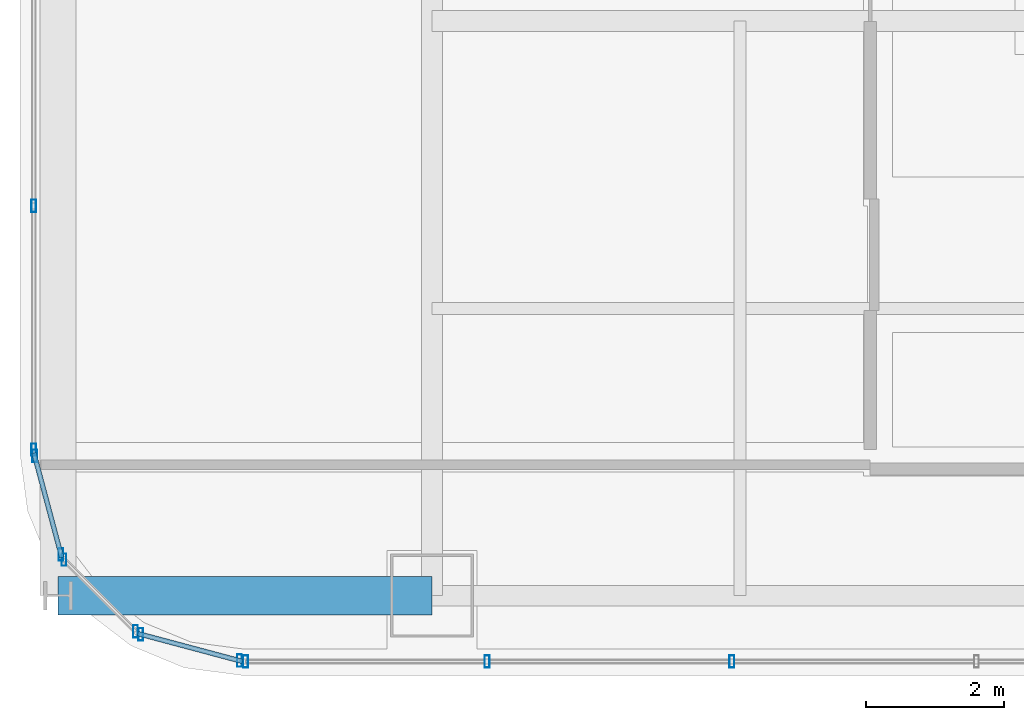
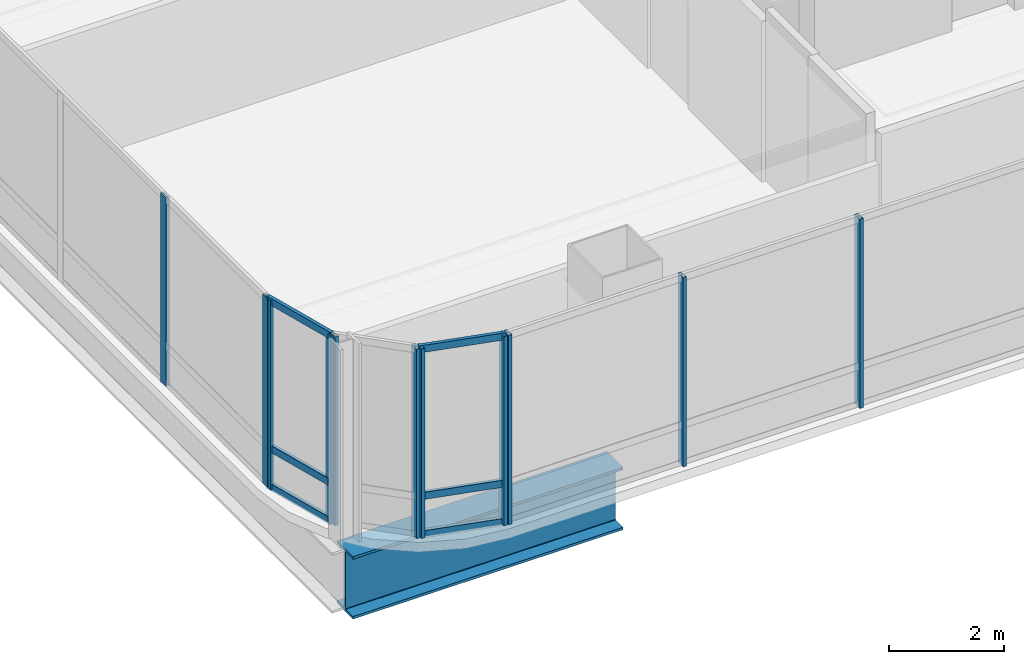
# One storey, part 2 of 41: 17 members, 1 beam, 5 elements without a shape of their own.
"""IFC4 building model written with IfcOpenShell, lengths in metres."""

from ifc_helpers import new_model, si_unit, direction, frame, origin, origin_2d, place, context, subcontext, project, spatial, hollow_rectangle, i_section, extrude, material, material_profile, profile_set, type_object, element, aggregate, save


model = new_model("IFC4")

# Units and contexts
model_context = context("Model", 3, precision=1e-05, world=origin(), true_north=direction((0.0, 1.0)))
body_context = subcontext(model_context, "Body", "Model", "MODEL_VIEW")
ifc_project = project(units=[si_unit("LENGTHUNIT", "METRE"), si_unit("AREAUNIT", "SQUARE_METRE"), si_unit("VOLUMEUNIT", "CUBIC_METRE"), si_unit("PLANEANGLEUNIT", "RADIAN"), si_unit("MASSUNIT", "GRAM", prefix="KILO")], contexts=[model_context])

# Site, building, storey
site_placement = place(None, origin())
site = spatial("IfcSite", under=ifc_project, at=site_placement, CompositionType="ELEMENT")
building_placement = place(site_placement, origin())
building = spatial("IfcBuilding", under=site, at=building_placement, Name="Punatoya Terracotta Tower", CompositionType="ELEMENT")
storey_placement = place(building_placement, frame((0.0, 0.0, 309.0)))
storey = spatial("IfcBuildingStorey", under=building, at=storey_placement, Name="L73", CompositionType="ELEMENT", Elevation=309.0)

# Beam
ifc_material_1 = material(Name="Steel S460", Category="steel")
ifc_material_profile_1 = material_profile(ifc_material_1, i_section(OverallWidth=0.56005859375, OverallDepth=1.320068359375, WebThickness=0.035888671875, FlangeThickness=0.054931640625, FilletRadius=0.01806640625, at=origin_2d()))
ifc_profile_set_1 = profile_set([ifc_material_profile_1], Name="Steel S460")
beam_type = type_object("IfcBeamType", Name="BM-TG-BLK", PredefinedType="BEAM", material=ifc_profile_set_1)
beam_placement = place(storey_placement, frame((-24.5, -17.5, -0.860107421875), z_axis=(1.0, 0.0, 0.0), x_axis=(0.0, 1.0, 0.0)))
element("IfcBeam", 1, at=beam_placement, inside=storey, type_object=beam_type, Name="BM-L73-CANT-W1", PredefinedType="BEAM", context=body_context, shape_type="SweptSolid", body=[
    extrude(i_section(OverallWidth=0.56005859375, OverallDepth=1.320068359375, WebThickness=0.035888671875, FlangeThickness=0.054931640625, FilletRadius=0.01806640625, at=origin_2d()), origin(), (0.0, 0.0, 1.0), 5.39990234375),
])

# Curtain wall, members
ifc_material_2 = material(Name="Aluminium 6063-T6 + Double Low-E Glass", Category="aluminium")
curtain_wall_type = type_object("IfcCurtainWallType", Name="CW-M3", PredefinedType="NOTDEFINED", material=ifc_material_2)
curtain_wall_1_placement = place(storey_placement, origin())
curtain_wall_1 = element("IfcCurtainWall", 2, at=curtain_wall_1_placement, inside=storey, type_object=curtain_wall_type, Name="L73 Curtain Wall CW-L73-S01-1", PredefinedType="NOTDEFINED")
ifc_material_3 = material(Name="Aluminium 6063-T6", Category="aluminium")
ifc_material_profile_2 = material_profile(ifc_material_3, hollow_rectangle(XDim=0.070068359375, YDim=0.179931640625, WallThickness=0.00390625, at=origin_2d()))
ifc_profile_set_2 = profile_set([ifc_material_profile_2], Name="Aluminium 6063-T6")
member_type_1 = type_object("IfcMemberType", Name="CW-MUL-M3", PredefinedType="MULLION", material=ifc_profile_set_2)
member_1_placement = place(storey_placement, frame((-21.7919921875, -18.449951171875, 0.0), z_axis=(0.0, 0.0, 1.0), x_axis=(1.0, 0.0, 0.0)))
member_1 = element("IfcMember", 3, at=member_1_placement, type_object=member_type_1, Name="CW-L73-S01-1 Mullion 00", PredefinedType="MULLION", context=body_context, shape_type="SweptSolid", body=[
    extrude(hollow_rectangle(XDim=0.070068359375, YDim=0.179931640625, WallThickness=0.00390625, at=origin_2d()), origin(), (0.0, 0.0, 1.0), 4.0),
])
member_2_placement = place(storey_placement, frame((-18.302978515625, -18.449951171875, 0.0), z_axis=(0.0, 0.0, 1.0), x_axis=(1.0, 0.0, 0.0)))
member_2 = element("IfcMember", 4, at=member_2_placement, type_object=member_type_1, Name="CW-L73-S01-1 Mullion 01", PredefinedType="MULLION", context=body_context, shape_type="SweptSolid", body=[
    extrude(hollow_rectangle(XDim=0.070068359375, YDim=0.179931640625, WallThickness=0.00390625, at=origin_2d()), origin(), (0.0, 0.0, 1.0), 4.0),
])
member_3_placement = place(storey_placement, frame((-14.768798828125, -18.449951171875, 0.0), z_axis=(0.0, 0.0, 1.0), x_axis=(1.0, 0.0, 0.0)))
member_3 = element("IfcMember", 5, at=member_3_placement, type_object=member_type_1, Name="CW-L73-S01-1 Mullion 02", PredefinedType="MULLION", context=body_context, shape_type="SweptSolid", body=[
    extrude(hollow_rectangle(XDim=0.070068359375, YDim=0.179931640625, WallThickness=0.00390625, at=origin_2d()), origin(), (0.0, 0.0, 1.0), 4.0),
])
aggregate(curtain_wall_1, [member_1, member_2, member_3])

curtain_wall_2_placement = place(storey_placement, origin())
curtain_wall_2 = element("IfcCurtainWall", 6, at=curtain_wall_2_placement, inside=storey, type_object=curtain_wall_type, Name="L73 Curtain Wall CW-L73-W13-1", PredefinedType="NOTDEFINED")
member_4_placement = place(storey_placement, frame((-24.85009765625, -11.869384765625, 0.0), z_axis=(0.0, 0.0, 1.0), x_axis=(1.0, 0.0, 0.0)))
member_4 = element("IfcMember", 7, at=member_4_placement, type_object=member_type_1, Name="CW-L73-W13-1 Mullion 09", PredefinedType="MULLION", context=body_context, shape_type="SweptSolid", body=[
    extrude(hollow_rectangle(XDim=0.070068359375, YDim=0.179931640625, WallThickness=0.00390625, at=origin_2d()), origin(), (0.0, 0.0, 1.0), 4.0),
])
member_5_placement = place(storey_placement, frame((-24.85009765625, -15.391845703125, 0.0), z_axis=(0.0, 0.0, 1.0), x_axis=(1.0, 0.0, 0.0)))
member_5 = element("IfcMember", 8, at=member_5_placement, type_object=member_type_1, Name="CW-L73-W13-1 Mullion 10", PredefinedType="MULLION", context=body_context, shape_type="SweptSolid", body=[
    extrude(hollow_rectangle(XDim=0.070068359375, YDim=0.179931640625, WallThickness=0.00390625, at=origin_2d()), origin(), (0.0, 0.0, 1.0), 4.0),
])
aggregate(curtain_wall_2, [member_4, member_5])

curtain_wall_3_placement = place(storey_placement, origin())
curtain_wall_3 = element("IfcCurtainWall", 9, at=curtain_wall_3_placement, inside=storey, type_object=curtain_wall_type, Name="L73 Curtain Wall CW-L73-CRN14", PredefinedType="NOTDEFINED")
member_6_placement = place(storey_placement, frame((-24.83837890625, -15.48046875, 0.0), z_axis=(0.0, 0.0, 1.0), x_axis=(1.0, 0.0, 0.0)))
member_6 = element("IfcMember", 10, at=member_6_placement, type_object=member_type_1, Name="CW-L73-CRN14 Mullion 00", PredefinedType="MULLION", context=body_context, shape_type="SweptSolid", body=[
    extrude(hollow_rectangle(XDim=0.070068359375, YDim=0.179931640625, WallThickness=0.00390625, at=origin_2d()), origin(), (0.0, 0.0, 1.0), 4.0),
])
member_7_placement = place(storey_placement, frame((-24.458251953125, -16.905517578125, 0.0), z_axis=(0.0, 0.0, 1.0), x_axis=(1.0, 0.0, 0.0)))
member_7 = element("IfcMember", 11, at=member_7_placement, type_object=member_type_1, Name="CW-L73-CRN14 Mullion 01", PredefinedType="MULLION", context=body_context, shape_type="SweptSolid", body=[
    extrude(hollow_rectangle(XDim=0.070068359375, YDim=0.179931640625, WallThickness=0.00390625, at=origin_2d()), origin(), (0.0, 0.0, 1.0), 4.0),
])

curtain_wall_4_placement = place(storey_placement, origin())
curtain_wall_4 = element("IfcCurtainWall", 12, at=curtain_wall_4_placement, inside=storey, type_object=curtain_wall_type, Name="L73 Curtain Wall CW-L73-CRN15", PredefinedType="NOTDEFINED")
member_8_placement = place(storey_placement, frame((-24.414794921875, -16.98095703125, 0.0), z_axis=(0.0, 0.0, 1.0), x_axis=(1.0, 0.0, 0.0)))
member_8 = element("IfcMember", 13, at=member_8_placement, type_object=member_type_1, Name="CW-L73-CRN15 Mullion 00", PredefinedType="MULLION", context=body_context, shape_type="SweptSolid", body=[
    extrude(hollow_rectangle(XDim=0.070068359375, YDim=0.179931640625, WallThickness=0.00390625, at=origin_2d()), origin(), (0.0, 0.0, 1.0), 4.0),
])
member_9_placement = place(storey_placement, frame((-23.380859375, -18.014892578125, 0.0), z_axis=(0.0, 0.0, 1.0), x_axis=(1.0, 0.0, 0.0)))
member_9 = element("IfcMember", 14, at=member_9_placement, type_object=member_type_1, Name="CW-L73-CRN15 Mullion 01", PredefinedType="MULLION", context=body_context, shape_type="SweptSolid", body=[
    extrude(hollow_rectangle(XDim=0.070068359375, YDim=0.179931640625, WallThickness=0.00390625, at=origin_2d()), origin(), (0.0, 0.0, 1.0), 4.0),
])
aggregate(curtain_wall_4, [member_8, member_9])

curtain_wall_5_placement = place(storey_placement, origin())
curtain_wall_5 = element("IfcCurtainWall", 15, at=curtain_wall_5_placement, inside=storey, type_object=curtain_wall_type, Name="L73 Curtain Wall CW-L73-CRN16", PredefinedType="NOTDEFINED")
member_10_placement = place(storey_placement, frame((-23.3056640625, -18.05810546875, 0.0), z_axis=(0.0, 0.0, 1.0), x_axis=(1.0, 0.0, 0.0)))
member_10 = element("IfcMember", 16, at=member_10_placement, type_object=member_type_1, Name="CW-L73-CRN16 Mullion 00", PredefinedType="MULLION", context=body_context, shape_type="SweptSolid", body=[
    extrude(hollow_rectangle(XDim=0.070068359375, YDim=0.179931640625, WallThickness=0.00390625, at=origin_2d()), origin(), (0.0, 0.0, 1.0), 4.0),
])
member_11_placement = place(storey_placement, frame((-21.88037109375, -18.4384765625, 0.0), z_axis=(0.0, 0.0, 1.0), x_axis=(1.0, 0.0, 0.0)))
member_11 = element("IfcMember", 17, at=member_11_placement, type_object=member_type_1, Name="CW-L73-CRN16 Mullion 01", PredefinedType="MULLION", context=body_context, shape_type="SweptSolid", body=[
    extrude(hollow_rectangle(XDim=0.070068359375, YDim=0.179931640625, WallThickness=0.00390625, at=origin_2d()), origin(), (0.0, 0.0, 1.0), 4.0),
])

# Member
ifc_material_profile_3 = material_profile(ifc_material_3, hollow_rectangle(XDim=0.068115234375, YDim=0.14990234375, WallThickness=0.00390625, at=origin_2d()))
ifc_profile_set_3 = profile_set([ifc_material_profile_3], Name="Aluminium 6063-T6")
member_type_2 = type_object("IfcMemberType", Name="CW-TRN-TYP", PredefinedType="USERDEFINED", material=ifc_profile_set_3)
member_12_placement = place(storey_placement, frame((-24.85009765625, -15.43701171875, 0.0400390625), z_axis=(0.257847112249, -0.966185730957, 0.0), x_axis=(0.966185730957, 0.257847112249, 0.0)))
member_12 = element("IfcMember", 18, at=member_12_placement, type_object=member_type_2, Name="CW-L73-CRN14 Transom 1", ObjectType="TRANSOM", PredefinedType="USERDEFINED", context=body_context, shape_type="SweptSolid", body=[
    extrude(hollow_rectangle(XDim=0.068115234375, YDim=0.14990234375, WallThickness=0.00390625, at=origin_2d()), origin(), (0.0, 0.0, 1.0), 1.565185546875),
])

member_13_placement = place(storey_placement, frame((-24.85009765625, -15.43701171875, 0.85009765625), z_axis=(0.257847112249, -0.966185730957, 0.0), x_axis=(0.966185730957, 0.257847112249, 0.0)))
member_13 = element("IfcMember", 19, at=member_13_placement, type_object=member_type_2, Name="CW-L73-CRN14 Transom 2", ObjectType="TRANSOM", PredefinedType="USERDEFINED", context=body_context, shape_type="SweptSolid", body=[
    extrude(hollow_rectangle(XDim=0.068115234375, YDim=0.14990234375, WallThickness=0.00390625, at=origin_2d()), origin(), (0.0, 0.0, 1.0), 1.565185546875),
])

member_14_placement = place(storey_placement, frame((-24.85009765625, -15.43701171875, 3.9599609375), z_axis=(0.257847112249, -0.966185730957, 0.0), x_axis=(0.966185730957, 0.257847112249, 0.0)))
member_14 = element("IfcMember", 20, at=member_14_placement, type_object=member_type_2, Name="CW-L73-CRN14 Transom 3", ObjectType="TRANSOM", PredefinedType="USERDEFINED", context=body_context, shape_type="SweptSolid", body=[
    extrude(hollow_rectangle(XDim=0.068115234375, YDim=0.14990234375, WallThickness=0.00390625, at=origin_2d()), origin(), (0.0, 0.0, 1.0), 1.565185546875),
])

aggregate(curtain_wall_3, [member_6, member_7, member_12, member_13, member_14])

member_15_placement = place(storey_placement, frame((-23.34912109375, -18.046630859375, 0.0400390625), z_axis=(0.966224582397, -0.257701486942, 0.0), x_axis=(0.257701486942, 0.966224582397, 0.0)))
member_15 = element("IfcMember", 21, at=member_15_placement, type_object=member_type_2, Name="CW-L73-CRN16 Transom 1", ObjectType="TRANSOM", PredefinedType="USERDEFINED", context=body_context, shape_type="SweptSolid", body=[
    extrude(hollow_rectangle(XDim=0.068115234375, YDim=0.14990234375, WallThickness=0.00390625, at=origin_2d()), origin(), (0.0, 0.0, 1.0), 1.565185546875),
])

member_16_placement = place(storey_placement, frame((-23.34912109375, -18.046630859375, 0.85009765625), z_axis=(0.966224582397, -0.257701486942, 0.0), x_axis=(0.257701486942, 0.966224582397, 0.0)))
member_16 = element("IfcMember", 22, at=member_16_placement, type_object=member_type_2, Name="CW-L73-CRN16 Transom 2", ObjectType="TRANSOM", PredefinedType="USERDEFINED", context=body_context, shape_type="SweptSolid", body=[
    extrude(hollow_rectangle(XDim=0.068115234375, YDim=0.14990234375, WallThickness=0.00390625, at=origin_2d()), origin(), (0.0, 0.0, 1.0), 1.565185546875),
])

member_17_placement = place(storey_placement, frame((-23.34912109375, -18.046630859375, 3.9599609375), z_axis=(0.966224582397, -0.257701486942, 0.0), x_axis=(0.257701486942, 0.966224582397, 0.0)))
member_17 = element("IfcMember", 23, at=member_17_placement, type_object=member_type_2, Name="CW-L73-CRN16 Transom 3", ObjectType="TRANSOM", PredefinedType="USERDEFINED", context=body_context, shape_type="SweptSolid", body=[
    extrude(hollow_rectangle(XDim=0.068115234375, YDim=0.14990234375, WallThickness=0.00390625, at=origin_2d()), origin(), (0.0, 0.0, 1.0), 1.565185546875),
])

aggregate(curtain_wall_5, [member_10, member_11, member_15, member_16, member_17])

save(model, "model.ifc")
